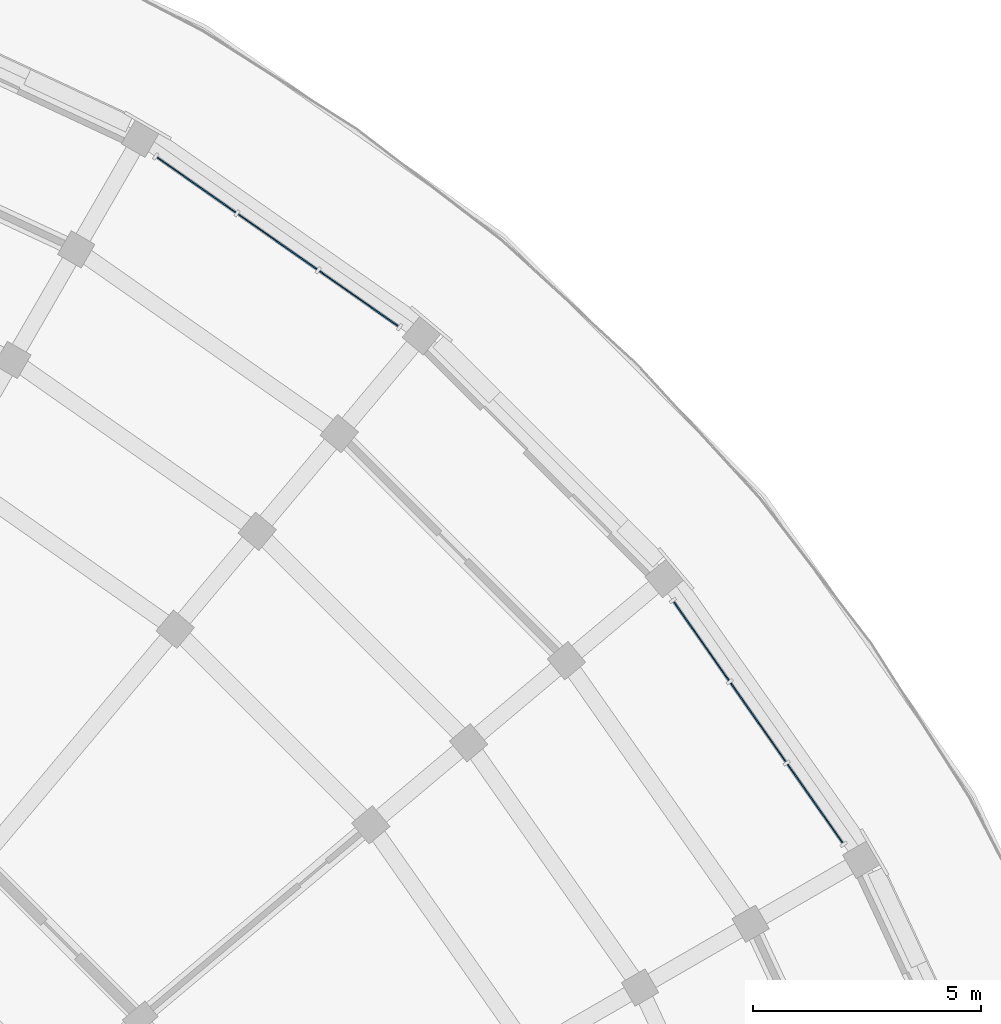
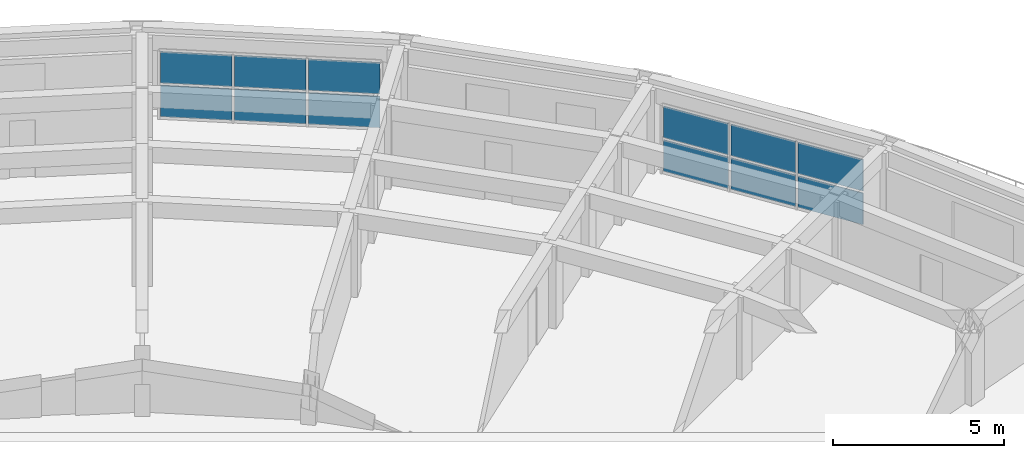
# One storey, part 15 of 53: 12 plates, 2 elements without a shape of their own.
"""IFC4 building model written with IfcOpenShell, lengths in metres."""

import ifcopenshell
import ifcopenshell.guid

model = None  # the IFC model being written
_history = None  # IfcOwnerHistory: only IFC2X3 demands one
_inside = {}  # id of a spatial element -> (the spatial element, [elements in it])
_under = {}  # id of a project, library or spatial element -> (it, [spatial elements below it])
_declared = {}  # id of a project -> (the project, [libraries it declares])
_typed = {}  # id of a type object -> (the type object, [elements of that type])
_made_of = {}  # id of a material, layer set ... -> (it, [elements and type objects made of it])


def new_model(schema):
    """Start an empty IFC model of exactly this schema.

    Asked for "IFC4X3", IfcOpenShell would pick the latest addendum, in which some entities
    have other attributes; the version numbers below select the first issue.
    IFC2X3 requires an IfcOwnerHistory on every rooted entity: one is made here for all.
    """
    global model, _history
    if schema == "IFC4X3":
        model = ifcopenshell.file(schema_version=(4, 3, 0, 0))
    else:
        model = ifcopenshell.file(schema=schema)
    _inside.clear()
    _under.clear()
    _declared.clear()
    _typed.clear()
    _made_of.clear()
    _history = None
    if model.schema == "IFC2X3":
        org = make("IfcOrganization", Name="unknown")
        user = make(
            "IfcPersonAndOrganization",
            ThePerson=make("IfcPerson", FamilyName="unknown"),
            TheOrganization=org,
        )
        app = make(
            "IfcApplication",
            ApplicationDeveloper=org,
            Version="unknown",
            ApplicationFullName="unknown",
            ApplicationIdentifier="unknown",
        )
        _history = make(
            "IfcOwnerHistory",
            OwningUser=user,
            OwningApplication=app,
            ChangeAction="ADDED",
            CreationDate=0,
        )
    return model


def make(cls, **values):
    """One entity of the class cls with the attributes given. An attribute that is None is left unset."""
    return model.create_entity(
        cls, **{name: value for name, value in values.items() if value is not None}
    )


def rooted(cls, **values):
    """An entity with a GlobalId (a new one), such as an element, a storey or a relation."""
    return make(cls, GlobalId=ifcopenshell.guid.new(), OwnerHistory=_history, **values)


def si_unit(unit_type, name, prefix=None):
    """IfcSIUnit, for example si_unit("LENGTHUNIT", "METRE", prefix="MILLI")."""
    return make("IfcSIUnit", UnitType=unit_type, Prefix=prefix, Name=name)


def assignment(units):
    """IfcUnitAssignment: the units of a project."""
    return None if units is None else make("IfcUnitAssignment", Units=units)


def point(xyz):
    """IfcCartesianPoint."""
    return None if xyz is None else make("IfcCartesianPoint", Coordinates=xyz)


def direction(xyz):
    """IfcDirection."""
    return None if xyz is None else make("IfcDirection", DirectionRatios=xyz)


def frame(location, z_axis=None, x_axis=None):
    """IfcAxis2Placement3D, a coordinate frame: its origin and axes. An axis left out is left unset."""
    return make(
        "IfcAxis2Placement3D",
        Location=point(location),
        Axis=direction(z_axis),
        RefDirection=direction(x_axis),
    )


def frame_2d(location, x_axis=None):
    """IfcAxis2Placement2D, a coordinate frame in the plane: its origin and x axis."""
    return make(
        "IfcAxis2Placement2D", Location=point(location), RefDirection=direction(x_axis)
    )


def origin():
    """The frame at (0, 0, 0) with its axes left unset."""
    return frame((0.0, 0.0, 0.0))


def origin_2d():
    """The frame at (0, 0) in the plane with its x axis left unset."""
    return frame_2d((0.0, 0.0))


def place(relative_to, where):
    """IfcLocalPlacement: puts the frame where relative to a parent placement (None: the world)."""
    return make(
        "IfcLocalPlacement", PlacementRelTo=relative_to, RelativePlacement=where
    )


def context(
    kind, dimensions, precision=None, world=None, true_north=None, identifier=None
):
    """IfcGeometricRepresentationContext, for example the 3D "Model" context."""
    return make(
        "IfcGeometricRepresentationContext",
        ContextIdentifier=identifier,
        ContextType=kind,
        CoordinateSpaceDimension=dimensions,
        Precision=precision,
        WorldCoordinateSystem=world,
        TrueNorth=true_north,
    )


def subcontext(parent, identifier, kind, view, scale=None):
    """IfcGeometricRepresentationSubContext, for example "Body" below "Model"."""
    return make(
        "IfcGeometricRepresentationSubContext",
        ContextIdentifier=identifier,
        ContextType=kind,
        ParentContext=parent,
        TargetScale=scale,
        TargetView=view,
    )


def project(units=None, contexts=None):
    """IfcProject with its units and contexts."""
    return rooted(
        "IfcProject",
        Name="project",
        RepresentationContexts=contexts,
        UnitsInContext=assignment(units),
    )


def spatial(cls, under=None, at=None, **own):
    """A site, building, storey or space (cls), placed at a placement, below another one or the project."""
    s = rooted(cls, ObjectPlacement=at, **own)
    if under is not None:
        _under.setdefault(under.id(), (under, []))[1].append(s)
    return s


def profile(cls, at=None, kind="AREA", **sizes):
    """A parametric profile (cls). Its sizes go by their IFC names, for example OverallWidth=200.0."""
    return make(cls, ProfileType=kind, Position=at, **sizes)


def rectangle(**sizes):
    """IfcRectangleProfileDef."""
    return profile("IfcRectangleProfileDef", **sizes)


def extrude(swept, where, along, depth):
    """IfcExtrudedAreaSolid: the profile swept, set in the frame where, extruded along a direction by depth."""
    return make(
        "IfcExtrudedAreaSolid",
        SweptArea=swept,
        Position=where,
        ExtrudedDirection=direction(along),
        Depth=depth,
    )


def shape(context_of_items, identifier, shape_type, items):
    """IfcShapeRepresentation: the items that make up one representation, for example the "Body"."""
    return make(
        "IfcShapeRepresentation",
        ContextOfItems=context_of_items,
        RepresentationIdentifier=identifier,
        RepresentationType=shape_type,
        Items=items,
    )


def material(Name=None, Category=None):
    """IfcMaterial."""
    return make("IfcMaterial", Name=Name, Category=Category)


def layer(
    of_material, thickness, ventilated=None, Name=None, Category=None, Priority=None
):
    """IfcMaterialLayer: one layer of a wall or slab, of a material (None: an air gap)."""
    return make(
        "IfcMaterialLayer",
        Material=of_material,
        LayerThickness=thickness,
        IsVentilated=ventilated,
        Name=Name,
        Category=Category,
        Priority=Priority,
    )


def layer_set(layers, Name=None):
    """IfcMaterialLayerSet."""
    return make("IfcMaterialLayerSet", MaterialLayers=layers, LayerSetName=Name)


def made_of(thing, what):
    """Note that an element or type object is made of a material, layer set ...; save() writes the relation."""
    if what is not None:
        _made_of.setdefault(what.id(), (what, []))[1].append(thing)
    return thing


def type_object(cls, material=None, **own):
    """A type object (cls), such as IfcWallType, which elements share."""
    return made_of(rooted(cls, **own), material)


def element(
    cls,
    number,
    at=None,
    inside=None,
    cuts=None,
    type_object=None,
    material=None,
    context=None,
    identifier="Body",
    shape_type=None,
    held_by="IfcProductDefinitionShape",
    body=None,
    shapes=None,
    **own,
):
    """One element of the class cls, such as IfcWall. Its Tag is "e" and its number.

    at: its placement. inside: the storey or other place that contains it. cuts: it is an
    opening in that element (IfcRelVoidsElement). A single representation is given by context,
    identifier, shape_type and body (its items); several are given by shapes. held_by: the class
    of the entity that holds the representations. save() writes the other relations.
    """
    e = rooted(cls, Tag="e%d" % number, ObjectPlacement=at, **own)
    if body is not None:
        shapes = [shape(context, identifier, shape_type, body)]
    if shapes is not None:
        e.Representation = make(held_by, Representations=shapes)
    if inside is not None:
        _inside.setdefault(inside.id(), (inside, []))[1].append(e)
    if cuts is not None:
        rooted(
            "IfcRelVoidsElement", RelatingBuildingElement=cuts, RelatedOpeningElement=e
        )
    if type_object is not None:
        _typed.setdefault(type_object.id(), (type_object, []))[1].append(e)
    return made_of(e, material)


def aggregate(whole, parts):
    """IfcRelAggregates: a whole, such as a stair, and the parts it consists of."""
    return rooted("IfcRelAggregates", RelatingObject=whole, RelatedObjects=parts)


def save(model, path):
    """Write the relations noted so far, then the file.

    IfcRelAggregates (storeys below a building ...), IfcRelContainedInSpatialStructure (elements
    in a storey), IfcRelDefinesByType, IfcRelAssociatesMaterial and IfcRelDeclares: one each for
    every whole, place, type object, material and project.
    """
    for whole, parts in _under.values():
        aggregate(whole, parts)
    for where, things in _inside.values():
        rooted(
            "IfcRelContainedInSpatialStructure",
            RelatedElements=things,
            RelatingStructure=where,
        )
    for kind, things in _typed.values():
        rooted("IfcRelDefinesByType", RelatedObjects=things, RelatingType=kind)
    for what, things in _made_of.values():
        rooted("IfcRelAssociatesMaterial", RelatedObjects=things, RelatingMaterial=what)
    for by, libraries in _declared.values():
        rooted("IfcRelDeclares", RelatingContext=by, RelatedDefinitions=libraries)
    model.write(path)


model = new_model("IFC4")

# Units and contexts
model_context = context("Model", 3, precision=1e-05, world=origin(), true_north=direction((0.0, 1.0)))
body_context = subcontext(model_context, "Body", "Model", "MODEL_VIEW")
ifc_project = project(units=[si_unit("LENGTHUNIT", "METRE"), si_unit("AREAUNIT", "SQUARE_METRE"), si_unit("VOLUMEUNIT", "CUBIC_METRE"), si_unit("PLANEANGLEUNIT", "RADIAN"), si_unit("MASSUNIT", "GRAM", prefix="KILO")], contexts=[model_context])

# Site, building, storey
site_placement = place(None, origin())
site = spatial("IfcSite", under=ifc_project, at=site_placement, CompositionType="ELEMENT")
building_placement = place(site_placement, origin())
building = spatial("IfcBuilding", under=site, at=building_placement, Name="Kiranvali Square Residences", CompositionType="ELEMENT")
storey_placement = place(building_placement, frame((0.0, 0.0, 30.75)))
storey = spatial("IfcBuildingStorey", under=building, at=storey_placement, Name="L09", CompositionType="ELEMENT", Elevation=30.75)

# Curtain wall, plates
ifc_material_1 = material(Name="Anodised bronze aluminium framing", Category="aluminium")
curtain_wall_type = type_object("IfcCurtainWallType", Name="CW-RES-LOG", PredefinedType="USERDEFINED", material=ifc_material_1)
curtain_wall_1_placement = place(storey_placement, origin())
curtain_wall_1 = element("IfcCurtainWall", 1, at=curtain_wall_1_placement, inside=storey, type_object=curtain_wall_type, Name="Block B L09 stepped curved terrace loggia 4", ObjectType="CURTAIN WALL", PredefinedType="USERDEFINED")
ifc_material_2 = material(Name="Solar-control low-e double glazing", Category="glass")
ifc_layer = layer(ifc_material_2, 0.028076171875)
ifc_layer_set = layer_set([ifc_layer], Name="Solar-control low-e double glazing")
plate_type = type_object("IfcPlateType", Name="PLT-CW-GLZ", PredefinedType="CURTAIN_PANEL", material=ifc_layer_set)
plate_1_placement = place(storey_placement, frame((142.6376953125, 124.19921875, 0.079833984375), z_axis=(0.0, 0.0, 1.0), x_axis=(0.819152044289, -0.573576436351, 0.0)))
plate_1 = element("IfcPlate", 2, at=plate_1_placement, type_object=plate_type, Name="CW-B-L09-TER-03 glazed panel 1.1", PredefinedType="CURTAIN_PANEL", context=body_context, shape_type="SweptSolid", body=[
    extrude(rectangle(XDim=2.090087890625, YDim=0.028076171875, at=origin_2d()), origin(), (0.0, 0.0, 1.0), 1.1201171875),
])
plate_2_placement = place(storey_placement, frame((142.6376953125, 124.19921875, 1.280029296875), z_axis=(0.0, 0.0, 1.0), x_axis=(0.819152044289, -0.573576436351, 0.0)))
plate_2 = element("IfcPlate", 3, at=plate_2_placement, type_object=plate_type, Name="CW-B-L09-TER-03 glazed panel 1.2", PredefinedType="CURTAIN_PANEL", context=body_context, shape_type="SweptSolid", body=[
    extrude(rectangle(XDim=2.090087890625, YDim=0.028076171875, at=origin_2d()), origin(), (0.0, 0.0, 1.0), 1.1201171875),
])
plate_3_placement = place(storey_placement, frame((144.415283203125, 122.954345703125, 0.079833984375), z_axis=(0.0, 0.0, 1.0), x_axis=(0.819152044289, -0.573576436351, 0.0)))
plate_3 = element("IfcPlate", 4, at=plate_3_placement, type_object=plate_type, Name="CW-B-L09-TER-03 glazed panel 2.1", PredefinedType="CURTAIN_PANEL", context=body_context, shape_type="SweptSolid", body=[
    extrude(rectangle(XDim=2.090087890625, YDim=0.028076171875, at=origin_2d()), origin(), (0.0, 0.0, 1.0), 1.1201171875),
])
plate_4_placement = place(storey_placement, frame((144.415283203125, 122.954345703125, 1.280029296875), z_axis=(0.0, 0.0, 1.0), x_axis=(0.819152044289, -0.573576436351, 0.0)))
plate_4 = element("IfcPlate", 5, at=plate_4_placement, type_object=plate_type, Name="CW-B-L09-TER-03 glazed panel 2.2", PredefinedType="CURTAIN_PANEL", context=body_context, shape_type="SweptSolid", body=[
    extrude(rectangle(XDim=2.090087890625, YDim=0.028076171875, at=origin_2d()), origin(), (0.0, 0.0, 1.0), 1.1201171875),
])
plate_5_placement = place(storey_placement, frame((146.193115234375, 121.709716796875, 0.079833984375), z_axis=(0.0, 0.0, 1.0), x_axis=(0.819152044289, -0.573576436351, 0.0)))
plate_5 = element("IfcPlate", 6, at=plate_5_placement, type_object=plate_type, Name="CW-B-L09-TER-03 glazed panel 3.1", PredefinedType="CURTAIN_PANEL", context=body_context, shape_type="SweptSolid", body=[
    extrude(rectangle(XDim=2.090087890625, YDim=0.028076171875, at=origin_2d()), origin(), (0.0, 0.0, 1.0), 1.1201171875),
])
plate_6_placement = place(storey_placement, frame((146.193115234375, 121.709716796875, 1.280029296875), z_axis=(0.0, 0.0, 1.0), x_axis=(0.819152044289, -0.573576436351, 0.0)))
plate_6 = element("IfcPlate", 7, at=plate_6_placement, type_object=plate_type, Name="CW-B-L09-TER-03 glazed panel 3.2", PredefinedType="CURTAIN_PANEL", context=body_context, shape_type="SweptSolid", body=[
    extrude(rectangle(XDim=2.090087890625, YDim=0.028076171875, at=origin_2d()), origin(), (0.0, 0.0, 1.0), 1.1201171875),
])
aggregate(curtain_wall_1, [plate_1, plate_2, plate_3, plate_4, plate_5, plate_6])

curtain_wall_2_placement = place(storey_placement, origin())
curtain_wall_2 = element("IfcCurtainWall", 8, at=curtain_wall_2_placement, inside=storey, type_object=curtain_wall_type, Name="Block B L09 stepped curved terrace loggia 6", ObjectType="CURTAIN WALL", PredefinedType="USERDEFINED")
plate_7_placement = place(storey_placement, frame((153.709716796875, 114.193115234375, 0.079833984375), z_axis=(0.0, 0.0, 1.0), x_axis=(0.573576436351, -0.819152044289, 0.0)))
plate_7 = element("IfcPlate", 9, at=plate_7_placement, type_object=plate_type, Name="CW-B-L09-TER-05 glazed panel 1.1", PredefinedType="CURTAIN_PANEL", context=body_context, shape_type="SweptSolid", body=[
    extrude(rectangle(XDim=2.090087890625, YDim=0.028076171875, at=origin_2d()), origin(), (0.0, 0.0, 1.0), 1.1201171875),
])
plate_8_placement = place(storey_placement, frame((153.709716796875, 114.193115234375, 1.280029296875), z_axis=(0.0, 0.0, 1.0), x_axis=(0.573576436351, -0.819152044289, 0.0)))
plate_8 = element("IfcPlate", 10, at=plate_8_placement, type_object=plate_type, Name="CW-B-L09-TER-05 glazed panel 1.2", PredefinedType="CURTAIN_PANEL", context=body_context, shape_type="SweptSolid", body=[
    extrude(rectangle(XDim=2.090087890625, YDim=0.028076171875, at=origin_2d()), origin(), (0.0, 0.0, 1.0), 1.1201171875),
])
plate_9_placement = place(storey_placement, frame((154.954345703125, 112.415283203125, 0.079833984375), z_axis=(0.0, 0.0, 1.0), x_axis=(0.573576436351, -0.819152044289, 0.0)))
plate_9 = element("IfcPlate", 11, at=plate_9_placement, type_object=plate_type, Name="CW-B-L09-TER-05 glazed panel 2.1", PredefinedType="CURTAIN_PANEL", context=body_context, shape_type="SweptSolid", body=[
    extrude(rectangle(XDim=2.090087890625, YDim=0.028076171875, at=origin_2d()), origin(), (0.0, 0.0, 1.0), 1.1201171875),
])
plate_10_placement = place(storey_placement, frame((154.954345703125, 112.415283203125, 1.280029296875), z_axis=(0.0, 0.0, 1.0), x_axis=(0.573576436351, -0.819152044289, 0.0)))
plate_10 = element("IfcPlate", 12, at=plate_10_placement, type_object=plate_type, Name="CW-B-L09-TER-05 glazed panel 2.2", PredefinedType="CURTAIN_PANEL", context=body_context, shape_type="SweptSolid", body=[
    extrude(rectangle(XDim=2.090087890625, YDim=0.028076171875, at=origin_2d()), origin(), (0.0, 0.0, 1.0), 1.1201171875),
])
plate_11_placement = place(storey_placement, frame((156.19921875, 110.6376953125, 0.079833984375), z_axis=(0.0, 0.0, 1.0), x_axis=(0.573576436351, -0.819152044289, 0.0)))
plate_11 = element("IfcPlate", 13, at=plate_11_placement, type_object=plate_type, Name="CW-B-L09-TER-05 glazed panel 3.1", PredefinedType="CURTAIN_PANEL", context=body_context, shape_type="SweptSolid", body=[
    extrude(rectangle(XDim=2.090087890625, YDim=0.028076171875, at=origin_2d()), origin(), (0.0, 0.0, 1.0), 1.1201171875),
])
plate_12_placement = place(storey_placement, frame((156.19921875, 110.6376953125, 1.280029296875), z_axis=(0.0, 0.0, 1.0), x_axis=(0.573576436351, -0.819152044289, 0.0)))
plate_12 = element("IfcPlate", 14, at=plate_12_placement, type_object=plate_type, Name="CW-B-L09-TER-05 glazed panel 3.2", PredefinedType="CURTAIN_PANEL", context=body_context, shape_type="SweptSolid", body=[
    extrude(rectangle(XDim=2.090087890625, YDim=0.028076171875, at=origin_2d()), origin(), (0.0, 0.0, 1.0), 1.1201171875),
])
aggregate(curtain_wall_2, [plate_7, plate_8, plate_9, plate_10, plate_11, plate_12])

save(model, "model.ifc")
